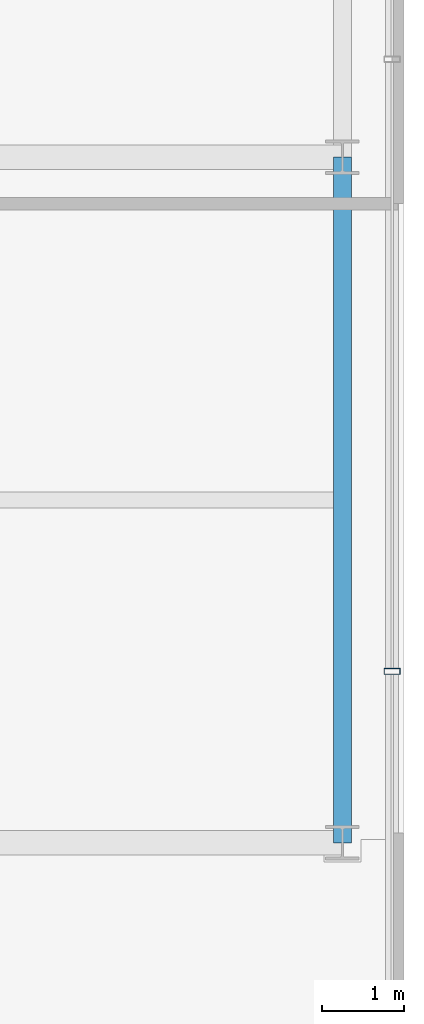
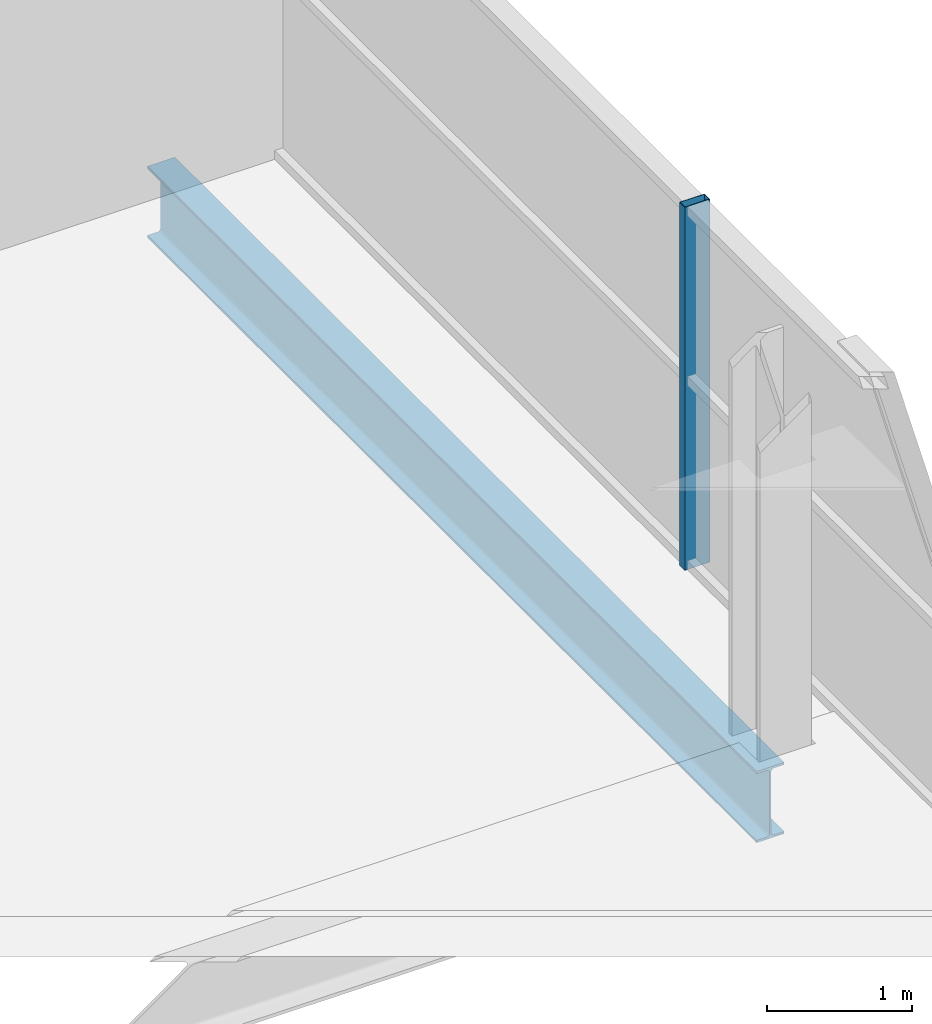
# One storey, part 13 of 32: 1 beam, 1 member, 1 element without a shape of its own.
"""IFC4 building model written with IfcOpenShell, lengths in metres."""

from ifc_helpers import new_model, si_unit, direction, frame, origin, origin_2d, place, context, subcontext, project, spatial, hollow_rectangle, i_section, extrude, source, transform, mapped, material, layer, layer_set, material_profile, profile_set, type_object, element, aggregate, save


model = new_model("IFC4")

# Units and contexts
model_context = context("Model", 3, precision=1e-05, world=origin(), true_north=direction((0.0, 1.0)))
body_context = subcontext(model_context, "Body", "Model", "MODEL_VIEW")
ifc_project = project(units=[si_unit("LENGTHUNIT", "METRE"), si_unit("AREAUNIT", "SQUARE_METRE"), si_unit("VOLUMEUNIT", "CUBIC_METRE"), si_unit("PLANEANGLEUNIT", "RADIAN"), si_unit("MASSUNIT", "GRAM", prefix="KILO")], contexts=[model_context])

# Site, building, storey
site_placement = place(None, origin())
site = spatial("IfcSite", under=ifc_project, at=site_placement, CompositionType="ELEMENT")
building_placement = place(site_placement, origin())
building = spatial("IfcBuilding", under=site, at=building_placement, Name="Zarnakvel Exchange Tower", CompositionType="ELEMENT")
storey_placement = place(building_placement, frame((0.0, 0.0, 73.60009765625)))
storey = spatial("IfcBuildingStorey", under=building, at=storey_placement, Name="L20", CompositionType="ELEMENT", Elevation=73.60009765625)

# Beam
ifc_material_1 = material(Name="Steel S355", Category="steel")
ifc_material_profile_1 = material_profile(ifc_material_1, i_section(OverallWidth=0.219970703125, OverallDepth=0.60009765625, WebThickness=0.011962890625, FlangeThickness=0.01904296875, FilletRadius=0.02392578125, at=origin_2d()))
ifc_profile_set_1 = profile_set([ifc_material_profile_1], Name="Steel S355")
beam_type = type_object("IfcBeamType", Name="SP-01", PredefinedType="SPANDREL", material=ifc_profile_set_1)
beam_placement = place(storey_placement, frame((31.85009765625, -9.60009765625, -0.525146484375), z_axis=(0.0, 1.0, 0.0), x_axis=(-1.0, 0.0, 0.0)))
element("IfcBeam", 1, at=beam_placement, inside=storey, type_object=beam_type, Name="L20 Tower N-S Frame Beam", PredefinedType="SPANDREL", context=body_context, shape_type="SweptSolid", body=[
    extrude(i_section(OverallWidth=0.219970703125, OverallDepth=0.60009765625, WebThickness=0.011962890625, FlangeThickness=0.01904296875, FilletRadius=0.02392578125, at=origin_2d()), origin(), (0.0, 0.0, 1.0), 8.400146484375),
])

# Curtain wall, member
ifc_material_2 = material(Name="Architectural Bronze Anodised Aluminium", Category="aluminium")
ifc_layer = layer(ifc_material_2, 0.199951171875)
ifc_layer_set = layer_set([ifc_layer], Name="Architectural Bronze Anodised Aluminium")
curtain_wall_type = type_object("IfcCurtainWallType", Name="CW-04", PredefinedType="NOTDEFINED", material=ifc_layer_set)
curtain_wall_placement = place(storey_placement, origin())
curtain_wall = element("IfcCurtainWall", 2, at=curtain_wall_placement, inside=storey, type_object=curtain_wall_type, Name="L20 Curtain Wall CW-L20-E1 (CW-04)", PredefinedType="NOTDEFINED")
ifc_material_profile_2 = material_profile(ifc_material_2, hollow_rectangle(XDim=0.199951171875, YDim=0.074951171875, WallThickness=0.0048828125, at=origin_2d()))
ifc_profile_set_2 = profile_set([ifc_material_profile_2], Name="Architectural Bronze Anodised Aluminium")
member_type = type_object("IfcMemberType", Name="CWM-04", PredefinedType="MULLION", material=ifc_profile_set_2)
shared_shape = source(origin(), body_context, "Body", "SweptSolid", [
    extrude(hollow_rectangle(XDim=0.199951171875, YDim=0.074951171875, WallThickness=0.0048828125, at=origin_2d()), origin(), (0.0, 0.0, 1.0), 3.054931640625),
])
member_placement = place(storey_placement, frame((32.4599609375, -7.5, 0.0), z_axis=(0.0, 0.0, 1.0), x_axis=(-1.0, 0.0, 0.0)))
member = element("IfcMember", 3, at=member_placement, type_object=member_type, Name="CW-04 mullion 2", PredefinedType="MULLION", context=body_context, shape_type="MappedRepresentation", body=[
    mapped(shared_shape, transform((0.0, 0.0, 0.0), x_axis=(1.0, 0.0, 0.0), y_axis=(0.0, 1.0, 0.0), z_axis=(0.0, 0.0, 1.0), scale=1.0)),
])
aggregate(curtain_wall, [member])

save(model, "model.ifc")
